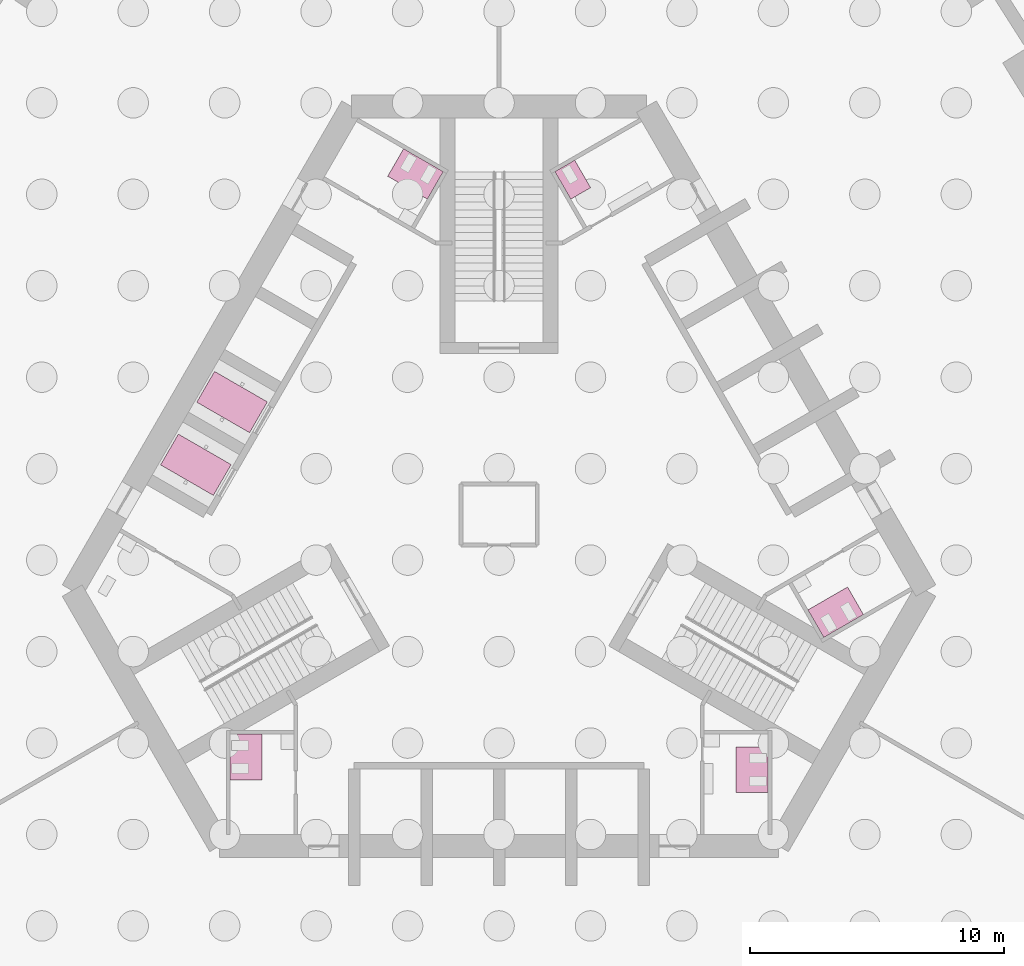
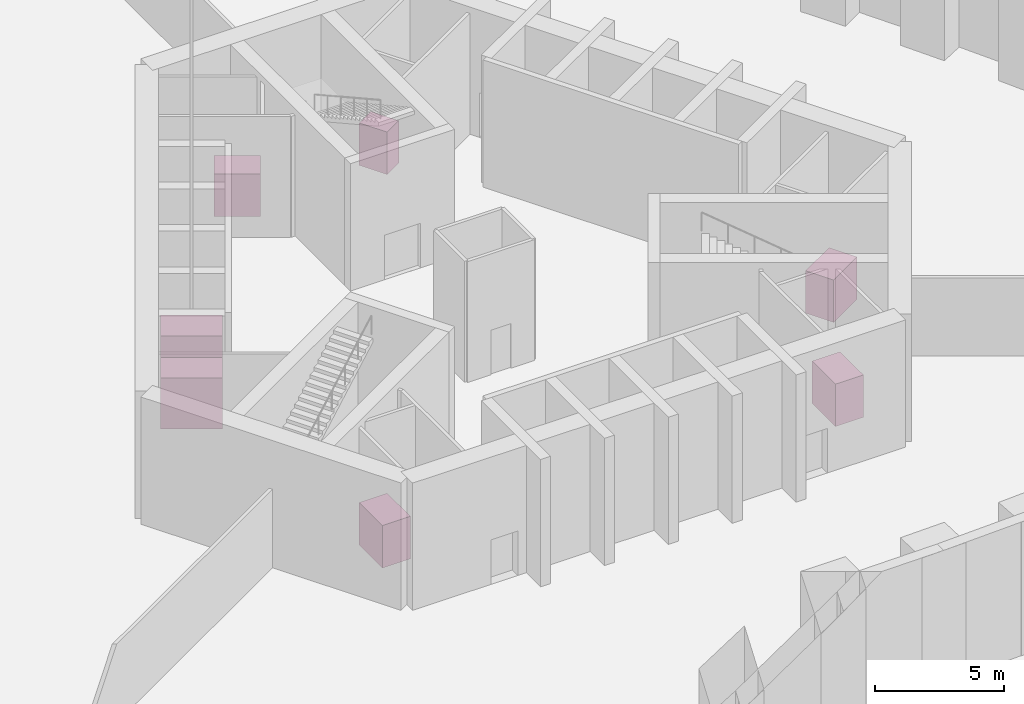
# One storey, part 8 of 12: 5 furniture elements, 2 transport elements.
"""IFC4 building model written with IfcOpenShell, lengths in metres."""

import ifcopenshell
import ifcopenshell.guid

model = None  # the IFC model being written
_history = None  # IfcOwnerHistory: only IFC2X3 demands one
_inside = {}  # id of a spatial element -> (the spatial element, [elements in it])
_under = {}  # id of a project, library or spatial element -> (it, [spatial elements below it])
_declared = {}  # id of a project -> (the project, [libraries it declares])
_typed = {}  # id of a type object -> (the type object, [elements of that type])
_made_of = {}  # id of a material, layer set ... -> (it, [elements and type objects made of it])


def new_model(schema):
    """Start an empty IFC model of exactly this schema.

    Asked for "IFC4X3", IfcOpenShell would pick the latest addendum, in which some entities
    have other attributes; the version numbers below select the first issue.
    IFC2X3 requires an IfcOwnerHistory on every rooted entity: one is made here for all.
    """
    global model, _history
    if schema == "IFC4X3":
        model = ifcopenshell.file(schema_version=(4, 3, 0, 0))
    else:
        model = ifcopenshell.file(schema=schema)
    _inside.clear()
    _under.clear()
    _declared.clear()
    _typed.clear()
    _made_of.clear()
    _history = None
    if model.schema == "IFC2X3":
        org = make("IfcOrganization", Name="unknown")
        user = make(
            "IfcPersonAndOrganization",
            ThePerson=make("IfcPerson", FamilyName="unknown"),
            TheOrganization=org,
        )
        app = make(
            "IfcApplication",
            ApplicationDeveloper=org,
            Version="unknown",
            ApplicationFullName="unknown",
            ApplicationIdentifier="unknown",
        )
        _history = make(
            "IfcOwnerHistory",
            OwningUser=user,
            OwningApplication=app,
            ChangeAction="ADDED",
            CreationDate=0,
        )
    return model


def make(cls, **values):
    """One entity of the class cls with the attributes given. An attribute that is None is left unset."""
    return model.create_entity(
        cls, **{name: value for name, value in values.items() if value is not None}
    )


def rooted(cls, **values):
    """An entity with a GlobalId (a new one), such as an element, a storey or a relation."""
    return make(cls, GlobalId=ifcopenshell.guid.new(), OwnerHistory=_history, **values)


def si_unit(unit_type, name, prefix=None):
    """IfcSIUnit, for example si_unit("LENGTHUNIT", "METRE", prefix="MILLI")."""
    return make("IfcSIUnit", UnitType=unit_type, Prefix=prefix, Name=name)


def assignment(units):
    """IfcUnitAssignment: the units of a project."""
    return None if units is None else make("IfcUnitAssignment", Units=units)


def point(xyz):
    """IfcCartesianPoint."""
    return None if xyz is None else make("IfcCartesianPoint", Coordinates=xyz)


def direction(xyz):
    """IfcDirection."""
    return None if xyz is None else make("IfcDirection", DirectionRatios=xyz)


def frame(location, z_axis=None, x_axis=None):
    """IfcAxis2Placement3D, a coordinate frame: its origin and axes. An axis left out is left unset."""
    return make(
        "IfcAxis2Placement3D",
        Location=point(location),
        Axis=direction(z_axis),
        RefDirection=direction(x_axis),
    )


def frame_2d(location, x_axis=None):
    """IfcAxis2Placement2D, a coordinate frame in the plane: its origin and x axis."""
    return make(
        "IfcAxis2Placement2D", Location=point(location), RefDirection=direction(x_axis)
    )


def origin():
    """The frame at (0, 0, 0) with its axes left unset."""
    return frame((0.0, 0.0, 0.0))


def origin_2d():
    """The frame at (0, 0) in the plane with its x axis left unset."""
    return frame_2d((0.0, 0.0))


def place(relative_to, where):
    """IfcLocalPlacement: puts the frame where relative to a parent placement (None: the world)."""
    return make(
        "IfcLocalPlacement", PlacementRelTo=relative_to, RelativePlacement=where
    )


def context(
    kind, dimensions, precision=None, world=None, true_north=None, identifier=None
):
    """IfcGeometricRepresentationContext, for example the 3D "Model" context."""
    return make(
        "IfcGeometricRepresentationContext",
        ContextIdentifier=identifier,
        ContextType=kind,
        CoordinateSpaceDimension=dimensions,
        Precision=precision,
        WorldCoordinateSystem=world,
        TrueNorth=true_north,
    )


def subcontext(parent, identifier, kind, view, scale=None):
    """IfcGeometricRepresentationSubContext, for example "Body" below "Model"."""
    return make(
        "IfcGeometricRepresentationSubContext",
        ContextIdentifier=identifier,
        ContextType=kind,
        ParentContext=parent,
        TargetScale=scale,
        TargetView=view,
    )


def project(units=None, contexts=None):
    """IfcProject with its units and contexts."""
    return rooted(
        "IfcProject",
        Name="project",
        RepresentationContexts=contexts,
        UnitsInContext=assignment(units),
    )


def spatial(cls, under=None, at=None, **own):
    """A site, building, storey or space (cls), placed at a placement, below another one or the project."""
    s = rooted(cls, ObjectPlacement=at, **own)
    if under is not None:
        _under.setdefault(under.id(), (under, []))[1].append(s)
    return s


def polyline(points):
    """IfcPolyline through the points."""
    return make("IfcPolyline", Points=[point(p) for p in points])


def profile(cls, at=None, kind="AREA", **sizes):
    """A parametric profile (cls). Its sizes go by their IFC names, for example OverallWidth=200.0."""
    return make(cls, ProfileType=kind, Position=at, **sizes)


def rectangle(**sizes):
    """IfcRectangleProfileDef."""
    return profile("IfcRectangleProfileDef", **sizes)


def outline(outer, holes=None, kind="AREA"):
    """IfcArbitraryClosedProfileDef: a profile drawn as a closed curve; with holes, ...WithVoids."""
    if holes is None:
        return make("IfcArbitraryClosedProfileDef", ProfileType=kind, OuterCurve=outer)
    return make(
        "IfcArbitraryProfileDefWithVoids",
        ProfileType=kind,
        OuterCurve=outer,
        InnerCurves=holes,
    )


def extrude(swept, where, along, depth):
    """IfcExtrudedAreaSolid: the profile swept, set in the frame where, extruded along a direction by depth."""
    return make(
        "IfcExtrudedAreaSolid",
        SweptArea=swept,
        Position=where,
        ExtrudedDirection=direction(along),
        Depth=depth,
    )


def shape(context_of_items, identifier, shape_type, items):
    """IfcShapeRepresentation: the items that make up one representation, for example the "Body"."""
    return make(
        "IfcShapeRepresentation",
        ContextOfItems=context_of_items,
        RepresentationIdentifier=identifier,
        RepresentationType=shape_type,
        Items=items,
    )


def material(Name=None, Category=None):
    """IfcMaterial."""
    return make("IfcMaterial", Name=Name, Category=Category)


def made_of(thing, what):
    """Note that an element or type object is made of a material, layer set ...; save() writes the relation."""
    if what is not None:
        _made_of.setdefault(what.id(), (what, []))[1].append(thing)
    return thing


def type_object(cls, material=None, **own):
    """A type object (cls), such as IfcWallType, which elements share."""
    return made_of(rooted(cls, **own), material)


def element(
    cls,
    number,
    at=None,
    inside=None,
    cuts=None,
    type_object=None,
    material=None,
    context=None,
    identifier="Body",
    shape_type=None,
    held_by="IfcProductDefinitionShape",
    body=None,
    shapes=None,
    **own,
):
    """One element of the class cls, such as IfcWall. Its Tag is "e" and its number.

    at: its placement. inside: the storey or other place that contains it. cuts: it is an
    opening in that element (IfcRelVoidsElement). A single representation is given by context,
    identifier, shape_type and body (its items); several are given by shapes. held_by: the class
    of the entity that holds the representations. save() writes the other relations.
    """
    e = rooted(cls, Tag="e%d" % number, ObjectPlacement=at, **own)
    if body is not None:
        shapes = [shape(context, identifier, shape_type, body)]
    if shapes is not None:
        e.Representation = make(held_by, Representations=shapes)
    if inside is not None:
        _inside.setdefault(inside.id(), (inside, []))[1].append(e)
    if cuts is not None:
        rooted(
            "IfcRelVoidsElement", RelatingBuildingElement=cuts, RelatedOpeningElement=e
        )
    if type_object is not None:
        _typed.setdefault(type_object.id(), (type_object, []))[1].append(e)
    return made_of(e, material)


def aggregate(whole, parts):
    """IfcRelAggregates: a whole, such as a stair, and the parts it consists of."""
    return rooted("IfcRelAggregates", RelatingObject=whole, RelatedObjects=parts)


def save(model, path):
    """Write the relations noted so far, then the file.

    IfcRelAggregates (storeys below a building ...), IfcRelContainedInSpatialStructure (elements
    in a storey), IfcRelDefinesByType, IfcRelAssociatesMaterial and IfcRelDeclares: one each for
    every whole, place, type object, material and project.
    """
    for whole, parts in _under.values():
        aggregate(whole, parts)
    for where, things in _inside.values():
        rooted(
            "IfcRelContainedInSpatialStructure",
            RelatedElements=things,
            RelatingStructure=where,
        )
    for kind, things in _typed.values():
        rooted("IfcRelDefinesByType", RelatedObjects=things, RelatingType=kind)
    for what, things in _made_of.values():
        rooted("IfcRelAssociatesMaterial", RelatedObjects=things, RelatingMaterial=what)
    for by, libraries in _declared.values():
        rooted("IfcRelDeclares", RelatingContext=by, RelatedDefinitions=libraries)
    model.write(path)


model = new_model("IFC4")

# Units and contexts
model_context = context("Model", 3, precision=1e-05, world=origin(), true_north=direction((0.0, 1.0)))
body_context = subcontext(model_context, "Body", "Model", "MODEL_VIEW")
ifc_project = project(units=[si_unit("LENGTHUNIT", "METRE"), si_unit("AREAUNIT", "SQUARE_METRE"), si_unit("VOLUMEUNIT", "CUBIC_METRE"), si_unit("PLANEANGLEUNIT", "RADIAN"), si_unit("MASSUNIT", "GRAM", prefix="KILO")], contexts=[model_context])

# Site, building, storey
site_placement = place(None, origin())
site = spatial("IfcSite", under=ifc_project, at=site_placement, CompositionType="ELEMENT")
building_placement = place(site_placement, origin())
building = spatial("IfcBuilding", under=site, at=building_placement, Name="Trefoil Bronze Tower", CompositionType="ELEMENT")
storey_placement = place(building_placement, frame((0.0, 0.0, -6.0)))
storey = spatial("IfcBuildingStorey", under=building, at=storey_placement, Name="B1", CompositionType="ELEMENT", Elevation=-6.0)

# Transport elements
ifc_material_1 = material(Name="Lift car", Category="steel")
transport_element_type = type_object("IfcTransportElementType", Name="Fire-fighting lift 1600", PredefinedType="ELEVATOR", material=ifc_material_1)
for number, where, z_axis, x_axis, name in (
    (1, (-10.509521484375, 4.422119140625, 0.0), (0.0, 0.0, 1.0), (-0.5, -0.866025403784, 0.0), "Lift FL1"),
    (2, (-11.934326171875, 1.9541015625, 0.0), (0.0, 0.0, 1.0), (-0.5, -0.866025403784, 0.0), "Lift FL2"),
):
    element("IfcTransportElement", number, at=place(storey_placement, frame(where, z_axis=z_axis, x_axis=x_axis)), inside=storey, type_object=transport_element_type, Name=name, PredefinedType="ELEVATOR", context=body_context, shape_type="SweptSolid", body=[
        extrude(rectangle(XDim=1.39990234375, YDim=2.39990234375, at=origin_2d()), origin(), (0.0, 0.0, 1.0), 2.39990234375),
    ])

# Furniture
ifc_material_2 = material(Name="Compact laminate cubicles", Category="plastic")
furniture_type_1 = type_object("IfcFurnitureType", Name="WC cubicle range 1 cubicles", AssemblyPlace="FACTORY", PredefinedType="USERDEFINED", material=ifc_material_2)
furniture_1_placement = place(storey_placement, origin())
element("IfcFurniture", 3, at=furniture_1_placement, inside=storey, type_object=furniture_type_1, Name="WC cubicle range WC (men) B1", ObjectType="WC cubicle range", PredefinedType="USERDEFINED", context=body_context, shape_type="SweptSolid", body=[
    extrude(outline(polyline([(2.82373046875, 12.409423828125), (2.19873046875, 13.491943359375), (2.97802734375, 13.94189453125), (3.60302734375, 12.859375), (2.82373046875, 12.409423828125)])), origin(), (0.0, 0.0, 1.0), 2.0),
])
ifc_material_3 = material(Name="Compact laminate cubicles", Category="plastic")
furniture_type_2 = type_object("IfcFurnitureType", Name="WC cubicle range 2 cubicles", AssemblyPlace="FACTORY", PredefinedType="USERDEFINED", material=ifc_material_3)
furniture_2_placement = place(storey_placement, origin())
element("IfcFurniture", 4, at=furniture_2_placement, inside=storey, type_object=furniture_type_2, Name="WC cubicle range WC (men) B1", ObjectType="WC cubicle range", PredefinedType="USERDEFINED", context=body_context, shape_type="SweptSolid", body=[
    extrude(outline(polyline([(9.3349609375, -9.14990234375), (10.5849609375, -9.14990234375), (10.5849609375, -10.949951171875), (9.3349609375, -10.949951171875), (9.3349609375, -9.14990234375)])), origin(), (0.0, 0.0, 1.0), 2.0),
])
furniture_3_placement = place(storey_placement, origin())
element("IfcFurniture", 5, at=furniture_3_placement, inside=storey, type_object=furniture_type_2, Name="WC cubicle range WC (women) B1", ObjectType="WC cubicle range", PredefinedType="USERDEFINED", context=body_context, shape_type="SweptSolid", body=[
    extrude(outline(polyline([(12.15869140625, -3.75927734375), (12.78369140625, -4.841796875), (14.342529296875, -3.94189453125), (13.717529296875, -2.859375), (12.15869140625, -3.75927734375)])), origin(), (0.0, 0.0, 1.0), 2.0),
])
furniture_4_placement = place(storey_placement, origin())
element("IfcFurniture", 6, at=furniture_4_placement, inside=storey, type_object=furniture_type_2, Name="WC cubicle range WC (women) B1", ObjectType="WC cubicle range", PredefinedType="USERDEFINED", context=body_context, shape_type="SweptSolid", body=[
    extrude(outline(polyline([(-2.82373046875, 12.409423828125), (-2.19873046875, 13.491943359375), (-3.757568359375, 14.391845703125), (-4.382568359375, 13.309326171875), (-2.82373046875, 12.409423828125)])), origin(), (0.0, 0.0, 1.0), 2.0),
])
furniture_5_placement = place(storey_placement, origin())
element("IfcFurniture", 7, at=furniture_5_placement, inside=storey, type_object=furniture_type_2, Name="WC cubicle range WC (women) B1", ObjectType="WC cubicle range", PredefinedType="USERDEFINED", context=body_context, shape_type="SweptSolid", body=[
    extrude(outline(polyline([(-9.3349609375, -8.64990234375), (-10.5849609375, -8.64990234375), (-10.5849609375, -10.449951171875), (-9.3349609375, -10.449951171875), (-9.3349609375, -8.64990234375)])), origin(), (0.0, 0.0, 1.0), 2.0),
])

save(model, "model.ifc")
